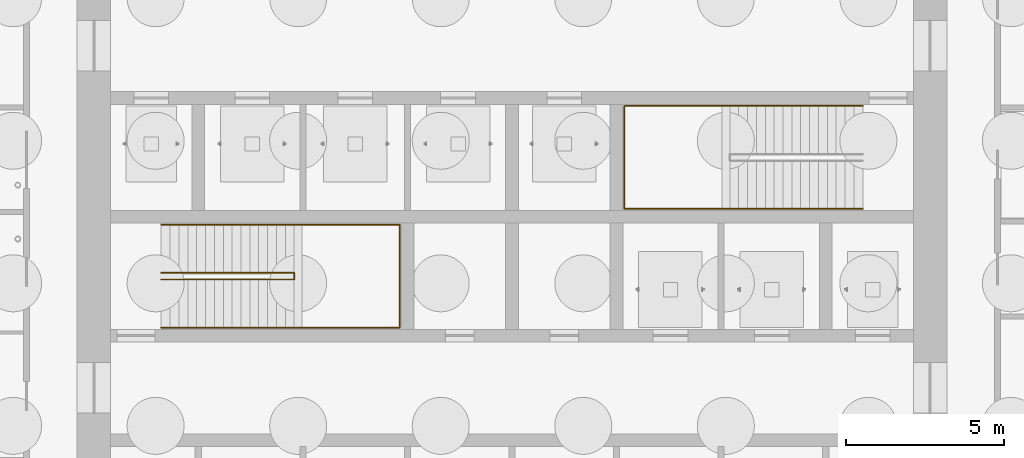
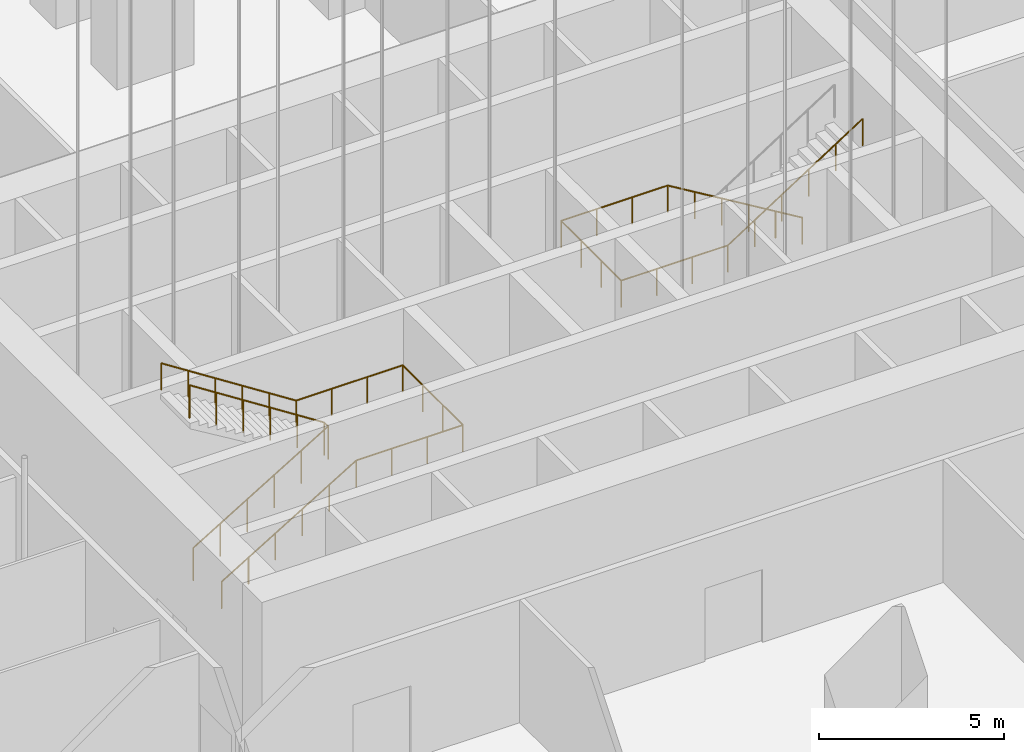
# One storey, part 6 of 17: 3 railings.
"""IFC4 building model written with IfcOpenShell, lengths in metres."""

from ifc_helpers import new_model, si_unit, direction, frame, origin, place, context, subcontext, project, spatial, polyline, outline, extrude, material, type_object, element, save


model = new_model("IFC4")

# Units and contexts
model_context = context("Model", 3, precision=1e-05, world=origin(), true_north=direction((0.0, 1.0)))
body_context = subcontext(model_context, "Body", "Model", "MODEL_VIEW")
ifc_project = project(units=[si_unit("LENGTHUNIT", "METRE"), si_unit("AREAUNIT", "SQUARE_METRE"), si_unit("VOLUMEUNIT", "CUBIC_METRE"), si_unit("PLANEANGLEUNIT", "RADIAN"), si_unit("MASSUNIT", "GRAM", prefix="KILO")], contexts=[model_context])

# Site, building, storey
site_placement = place(None, origin())
site = spatial("IfcSite", under=ifc_project, at=site_placement, CompositionType="ELEMENT")
building_placement = place(site_placement, origin())
building = spatial("IfcBuilding", under=site, at=building_placement, Name="Cobogo Forest Laboratory Tower", CompositionType="ELEMENT")
storey_placement = place(building_placement, frame((0.0, 0.0, -5.39990234375)))
storey = spatial("IfcBuildingStorey", under=building, at=storey_placement, Name="L-01", CompositionType="ELEMENT", Elevation=-5.39990234375)

# Railings
ifc_material_1 = material(Name="Steel balustrade", Category="steel")
railing_type_1 = type_object("IfcRailingType", Name="GR stair guard 1100", PredefinedType="GUARDRAIL", material=ifc_material_1)
railing_1_placement = place(storey_placement, frame((15.324951171875, 20.969970703125, 0.168701171875)))
element("IfcRailing", 1, at=railing_1_placement, inside=storey, type_object=railing_type_1, Name="Stair guard ST1 L-01", PredefinedType="GUARDRAIL", context=body_context, shape_type="SweptSolid", body=[
    extrude(outline(polyline([(0.022216796875, 0.00927734375), (0.00927734375, 0.022216796875), (-0.00927734375, 0.022216796875), (-0.022216796875, 0.00927734375), (-0.022216796875, -0.00927734375), (-0.00927734375, -0.022216796875), (0.00927734375, -0.022216796875), (0.022216796875, -0.00927734375), (0.022216796875, 0.00927734375)])), frame((0.0, 0.0, 1.077880859375), z_axis=(0.856476492594, 0.0, 0.516186030065), x_axis=(0.0, 1.0, 0.0)), (0.0, 0.0, 1.0), 4.90380859375),
    extrude(outline(polyline([(0.022216796875, 0.00927734375), (0.00927734375, 0.022216796875), (-0.00927734375, 0.022216796875), (-0.022216796875, 0.00927734375), (-0.022216796875, -0.00927734375), (-0.00927734375, -0.022216796875), (0.00927734375, -0.022216796875), (0.022216796875, -0.00927734375), (0.022216796875, 0.00927734375)])), frame((4.199951171875, 0.0, 3.609130859375), z_axis=(0.0, 1.0, 0.0), x_axis=(-1.0, 0.0, 0.0)), (0.0, 0.0, 1.0), 0.2099609375),
    extrude(outline(polyline([(0.022216796875, 0.00927734375), (0.00927734375, 0.022216796875), (-0.00927734375, 0.022216796875), (-0.022216796875, 0.00927734375), (-0.022216796875, -0.00927734375), (-0.00927734375, -0.022216796875), (0.00927734375, -0.022216796875), (0.022216796875, -0.00927734375), (0.022216796875, 0.00927734375)])), frame((4.199951171875, 0.2099609375, 3.609130859375), z_axis=(-0.841180064094, 0.0, 0.540755119968), x_axis=(0.0, -1.0, 0.0)), (0.0, 0.0, 1.0), 4.992919921875),
    extrude(outline(polyline([(0.019287109375, 0.008056640625), (0.008056640625, 0.019287109375), (-0.008056640625, 0.019287109375), (-0.019287109375, 0.008056640625), (-0.019287109375, -0.008056640625), (-0.008056640625, -0.019287109375), (0.008056640625, -0.019287109375), (0.019287109375, -0.008056640625), (0.019287109375, 0.008056640625)])), origin(), (0.0, 0.0, 1.0), 1.077880859375),
    extrude(outline(polyline([(0.019287109375, 0.008056640625), (0.008056640625, 0.019287109375), (-0.008056640625, 0.019287109375), (-0.019287109375, 0.008056640625), (-0.019287109375, -0.008056640625), (-0.008056640625, -0.019287109375), (0.008056640625, -0.019287109375), (0.019287109375, -0.008056640625), (0.019287109375, 0.008056640625)])), frame((0.840087890625, 0.0, 0.50634765625)), (0.0, 0.0, 1.0), 1.077880859375),
    extrude(outline(polyline([(0.019287109375, 0.008056640625), (0.008056640625, 0.019287109375), (-0.008056640625, 0.019287109375), (-0.019287109375, 0.008056640625), (-0.019287109375, -0.008056640625), (-0.008056640625, -0.019287109375), (0.008056640625, -0.019287109375), (0.019287109375, -0.008056640625), (0.019287109375, 0.008056640625)])), frame((1.679931640625, 0.0, 1.012451171875)), (0.0, 0.0, 1.0), 1.077880859375),
    extrude(outline(polyline([(0.019287109375, 0.008056640625), (0.008056640625, 0.019287109375), (-0.008056640625, 0.019287109375), (-0.019287109375, 0.008056640625), (-0.019287109375, -0.008056640625), (-0.008056640625, -0.019287109375), (0.008056640625, -0.019287109375), (0.019287109375, -0.008056640625), (0.019287109375, 0.008056640625)])), frame((2.52001953125, 0.0, 1.518798828125)), (0.0, 0.0, 1.0), 1.077880859375),
    extrude(outline(polyline([(0.019287109375, 0.008056640625), (0.008056640625, 0.019287109375), (-0.008056640625, 0.019287109375), (-0.019287109375, 0.008056640625), (-0.019287109375, -0.008056640625), (-0.008056640625, -0.019287109375), (0.008056640625, -0.019287109375), (0.019287109375, -0.008056640625), (0.019287109375, 0.008056640625)])), frame((3.35986328125, 0.0, 2.02490234375)), (0.0, 0.0, 1.0), 1.077880859375),
    extrude(outline(polyline([(0.019287109375, 0.008056640625), (0.008056640625, 0.019287109375), (-0.008056640625, 0.019287109375), (-0.019287109375, 0.008056640625), (-0.019287109375, -0.008056640625), (-0.008056640625, -0.019287109375), (0.008056640625, -0.019287109375), (0.019287109375, -0.008056640625), (0.019287109375, 0.008056640625)])), frame((4.199951171875, 0.0, 2.53125)), (0.0, 0.0, 1.0), 1.077880859375),
    extrude(outline(polyline([(0.019287109375, 0.008056640625), (0.008056640625, 0.019287109375), (-0.008056640625, 0.019287109375), (-0.019287109375, 0.008056640625), (-0.019287109375, -0.008056640625), (-0.008056640625, -0.019287109375), (0.008056640625, -0.019287109375), (0.019287109375, -0.008056640625), (0.019287109375, 0.008056640625)])), frame((4.199951171875, 0.2099609375, 2.53125)), (0.0, 0.0, 1.0), 1.077880859375),
    extrude(outline(polyline([(0.019287109375, 0.008056640625), (0.008056640625, 0.019287109375), (-0.008056640625, 0.019287109375), (-0.019287109375, 0.008056640625), (-0.019287109375, -0.008056640625), (-0.008056640625, -0.019287109375), (0.008056640625, -0.019287109375), (0.019287109375, -0.008056640625), (0.019287109375, 0.008056640625)])), frame((3.35986328125, 0.2099609375, 3.0712890625)), (0.0, 0.0, 1.0), 1.077880859375),
    extrude(outline(polyline([(0.019287109375, 0.008056640625), (0.008056640625, 0.019287109375), (-0.008056640625, 0.019287109375), (-0.019287109375, 0.008056640625), (-0.019287109375, -0.008056640625), (-0.008056640625, -0.019287109375), (0.008056640625, -0.019287109375), (0.019287109375, -0.008056640625), (0.019287109375, 0.008056640625)])), frame((2.52001953125, 0.2099609375, 3.611328125)), (0.0, 0.0, 1.0), 1.077880859375),
    extrude(outline(polyline([(0.019287109375, 0.008056640625), (0.008056640625, 0.019287109375), (-0.008056640625, 0.019287109375), (-0.019287109375, 0.008056640625), (-0.019287109375, -0.008056640625), (-0.008056640625, -0.019287109375), (0.008056640625, -0.019287109375), (0.019287109375, -0.008056640625), (0.019287109375, 0.008056640625)])), frame((1.679931640625, 0.2099609375, 4.151123046875)), (0.0, 0.0, 1.0), 1.077880859375),
    extrude(outline(polyline([(0.019287109375, 0.008056640625), (0.008056640625, 0.019287109375), (-0.008056640625, 0.019287109375), (-0.019287109375, 0.008056640625), (-0.019287109375, -0.008056640625), (-0.008056640625, -0.019287109375), (0.008056640625, -0.019287109375), (0.019287109375, -0.008056640625), (0.019287109375, 0.008056640625)])), frame((0.840087890625, 0.2099609375, 4.691162109375)), (0.0, 0.0, 1.0), 1.077880859375),
    extrude(outline(polyline([(0.019287109375, 0.008056640625), (0.008056640625, 0.019287109375), (-0.008056640625, 0.019287109375), (-0.019287109375, 0.008056640625), (-0.019287109375, -0.008056640625), (-0.008056640625, -0.019287109375), (0.008056640625, -0.019287109375), (0.019287109375, -0.008056640625), (0.019287109375, 0.008056640625)])), frame((0.0, 0.2099609375, 5.231201171875)), (0.0, 0.0, 1.0), 1.077880859375),
])
ifc_material_2 = material(Name="Stainless steel handrail", Category="steel")
railing_type_2 = type_object("IfcRailingType", Name="HR handrail 900", PredefinedType="HANDRAIL", material=ifc_material_2)
railing_2_placement = place(storey_placement, frame((15.324951171875, 19.449951171875, 0.168701171875)))
element("IfcRailing", 2, at=railing_2_placement, inside=storey, type_object=railing_type_2, Name="Stair handrail ST1 L-01", PredefinedType="HANDRAIL", context=body_context, shape_type="SweptSolid", body=[
    extrude(outline(polyline([(0.022216796875, 0.00927734375), (0.00927734375, 0.022216796875), (-0.00927734375, 0.022216796875), (-0.022216796875, 0.00927734375), (-0.022216796875, -0.00927734375), (-0.00927734375, -0.022216796875), (0.00927734375, -0.022216796875), (0.022216796875, -0.00927734375), (0.022216796875, 0.00927734375)])), frame((0.0, 0.0, 0.877685546875), z_axis=(0.856476492594, 0.0, 0.516186030065), x_axis=(0.0, 1.0, 0.0)), (0.0, 0.0, 1.0), 4.90380859375),
    extrude(outline(polyline([(0.022216796875, 0.00927734375), (0.00927734375, 0.022216796875), (-0.00927734375, 0.022216796875), (-0.022216796875, 0.00927734375), (-0.022216796875, -0.00927734375), (-0.00927734375, -0.022216796875), (0.00927734375, -0.022216796875), (0.022216796875, -0.00927734375), (0.022216796875, 0.00927734375)])), frame((4.199951171875, 0.0, 3.408935546875), z_axis=(1.0, 0.0, 0.0), x_axis=(0.0, 1.0, 0.0)), (0.0, 0.0, 1.0), 3.3251953125),
    extrude(outline(polyline([(0.022216796875, 0.00927734375), (0.00927734375, 0.022216796875), (-0.00927734375, 0.022216796875), (-0.022216796875, 0.00927734375), (-0.022216796875, -0.00927734375), (-0.00927734375, -0.022216796875), (0.00927734375, -0.022216796875), (0.022216796875, -0.00927734375), (0.022216796875, 0.00927734375)])), frame((7.525146484375, 0.0, 3.408935546875), z_axis=(0.0, 1.0, 0.0), x_axis=(-1.0, 0.0, 0.0)), (0.0, 0.0, 1.0), 3.25),
    extrude(outline(polyline([(0.022216796875, 0.00927734375), (0.00927734375, 0.022216796875), (-0.00927734375, 0.022216796875), (-0.022216796875, 0.00927734375), (-0.022216796875, -0.00927734375), (-0.00927734375, -0.022216796875), (0.00927734375, -0.022216796875), (0.022216796875, -0.00927734375), (0.022216796875, 0.00927734375)])), frame((7.525146484375, 3.25, 3.408935546875), z_axis=(-1.0, 0.0, 0.0), x_axis=(0.0, -1.0, 0.0)), (0.0, 0.0, 1.0), 3.3251953125),
    extrude(outline(polyline([(0.022216796875, 0.00927734375), (0.00927734375, 0.022216796875), (-0.00927734375, 0.022216796875), (-0.022216796875, 0.00927734375), (-0.022216796875, -0.00927734375), (-0.00927734375, -0.022216796875), (0.00927734375, -0.022216796875), (0.022216796875, -0.00927734375), (0.022216796875, 0.00927734375)])), frame((4.199951171875, 3.25, 3.408935546875), z_axis=(-0.841180064094, 0.0, 0.540755119968), x_axis=(0.0, -1.0, 0.0)), (0.0, 0.0, 1.0), 4.992919921875),
    extrude(outline(polyline([(0.019287109375, 0.008056640625), (0.008056640625, 0.019287109375), (-0.008056640625, 0.019287109375), (-0.019287109375, 0.008056640625), (-0.019287109375, -0.008056640625), (-0.008056640625, -0.019287109375), (0.008056640625, -0.019287109375), (0.019287109375, -0.008056640625), (0.019287109375, 0.008056640625)])), origin(), (0.0, 0.0, 1.0), 0.877685546875),
    extrude(outline(polyline([(0.019287109375, 0.008056640625), (0.008056640625, 0.019287109375), (-0.008056640625, 0.019287109375), (-0.019287109375, 0.008056640625), (-0.019287109375, -0.008056640625), (-0.008056640625, -0.019287109375), (0.008056640625, -0.019287109375), (0.019287109375, -0.008056640625), (0.019287109375, 0.008056640625)])), frame((0.840087890625, 0.0, 0.50634765625)), (0.0, 0.0, 1.0), 0.877685546875),
    extrude(outline(polyline([(0.019287109375, 0.008056640625), (0.008056640625, 0.019287109375), (-0.008056640625, 0.019287109375), (-0.019287109375, 0.008056640625), (-0.019287109375, -0.008056640625), (-0.008056640625, -0.019287109375), (0.008056640625, -0.019287109375), (0.019287109375, -0.008056640625), (0.019287109375, 0.008056640625)])), frame((1.679931640625, 0.0, 1.012451171875)), (0.0, 0.0, 1.0), 0.877685546875),
    extrude(outline(polyline([(0.019287109375, 0.008056640625), (0.008056640625, 0.019287109375), (-0.008056640625, 0.019287109375), (-0.019287109375, 0.008056640625), (-0.019287109375, -0.008056640625), (-0.008056640625, -0.019287109375), (0.008056640625, -0.019287109375), (0.019287109375, -0.008056640625), (0.019287109375, 0.008056640625)])), frame((2.52001953125, 0.0, 1.518798828125)), (0.0, 0.0, 1.0), 0.877685546875),
    extrude(outline(polyline([(0.019287109375, 0.008056640625), (0.008056640625, 0.019287109375), (-0.008056640625, 0.019287109375), (-0.019287109375, 0.008056640625), (-0.019287109375, -0.008056640625), (-0.008056640625, -0.019287109375), (0.008056640625, -0.019287109375), (0.019287109375, -0.008056640625), (0.019287109375, 0.008056640625)])), frame((3.35986328125, 0.0, 2.02490234375)), (0.0, 0.0, 1.0), 0.877685546875),
    extrude(outline(polyline([(0.019287109375, 0.008056640625), (0.008056640625, 0.019287109375), (-0.008056640625, 0.019287109375), (-0.019287109375, 0.008056640625), (-0.019287109375, -0.008056640625), (-0.008056640625, -0.019287109375), (0.008056640625, -0.019287109375), (0.019287109375, -0.008056640625), (0.019287109375, 0.008056640625)])), frame((4.199951171875, 0.0, 2.53125)), (0.0, 0.0, 1.0), 0.877685546875),
    extrude(outline(polyline([(0.019287109375, 0.008056640625), (0.008056640625, 0.019287109375), (-0.008056640625, 0.019287109375), (-0.019287109375, 0.008056640625), (-0.019287109375, -0.008056640625), (-0.008056640625, -0.019287109375), (0.008056640625, -0.019287109375), (0.019287109375, -0.008056640625), (0.019287109375, 0.008056640625)])), frame((5.308349609375, 0.0, 2.53125)), (0.0, 0.0, 1.0), 0.877685546875),
    extrude(outline(polyline([(0.019287109375, 0.008056640625), (0.008056640625, 0.019287109375), (-0.008056640625, 0.019287109375), (-0.019287109375, 0.008056640625), (-0.019287109375, -0.008056640625), (-0.008056640625, -0.019287109375), (0.008056640625, -0.019287109375), (0.019287109375, -0.008056640625), (0.019287109375, 0.008056640625)])), frame((6.416748046875, 0.0, 2.53125)), (0.0, 0.0, 1.0), 0.877685546875),
    extrude(outline(polyline([(0.019287109375, 0.008056640625), (0.008056640625, 0.019287109375), (-0.008056640625, 0.019287109375), (-0.019287109375, 0.008056640625), (-0.019287109375, -0.008056640625), (-0.008056640625, -0.019287109375), (0.008056640625, -0.019287109375), (0.019287109375, -0.008056640625), (0.019287109375, 0.008056640625)])), frame((7.525146484375, 0.0, 2.53125)), (0.0, 0.0, 1.0), 0.877685546875),
    extrude(outline(polyline([(0.019287109375, 0.008056640625), (0.008056640625, 0.019287109375), (-0.008056640625, 0.019287109375), (-0.019287109375, 0.008056640625), (-0.019287109375, -0.008056640625), (-0.008056640625, -0.019287109375), (0.008056640625, -0.019287109375), (0.019287109375, -0.008056640625), (0.019287109375, 0.008056640625)])), frame((7.525146484375, 1.083251953125, 2.53125)), (0.0, 0.0, 1.0), 0.877685546875),
    extrude(outline(polyline([(0.019287109375, 0.008056640625), (0.008056640625, 0.019287109375), (-0.008056640625, 0.019287109375), (-0.019287109375, 0.008056640625), (-0.019287109375, -0.008056640625), (-0.008056640625, -0.019287109375), (0.008056640625, -0.019287109375), (0.019287109375, -0.008056640625), (0.019287109375, 0.008056640625)])), frame((7.525146484375, 2.166748046875, 2.53125)), (0.0, 0.0, 1.0), 0.877685546875),
    extrude(outline(polyline([(0.019287109375, 0.008056640625), (0.008056640625, 0.019287109375), (-0.008056640625, 0.019287109375), (-0.019287109375, 0.008056640625), (-0.019287109375, -0.008056640625), (-0.008056640625, -0.019287109375), (0.008056640625, -0.019287109375), (0.019287109375, -0.008056640625), (0.019287109375, 0.008056640625)])), frame((7.525146484375, 3.25, 2.53125)), (0.0, 0.0, 1.0), 0.877685546875),
    extrude(outline(polyline([(0.019287109375, 0.008056640625), (0.008056640625, 0.019287109375), (-0.008056640625, 0.019287109375), (-0.019287109375, 0.008056640625), (-0.019287109375, -0.008056640625), (-0.008056640625, -0.019287109375), (0.008056640625, -0.019287109375), (0.019287109375, -0.008056640625), (0.019287109375, 0.008056640625)])), frame((6.416748046875, 3.25, 2.53125)), (0.0, 0.0, 1.0), 0.877685546875),
    extrude(outline(polyline([(0.019287109375, 0.008056640625), (0.008056640625, 0.019287109375), (-0.008056640625, 0.019287109375), (-0.019287109375, 0.008056640625), (-0.019287109375, -0.008056640625), (-0.008056640625, -0.019287109375), (0.008056640625, -0.019287109375), (0.019287109375, -0.008056640625), (0.019287109375, 0.008056640625)])), frame((5.308349609375, 3.25, 2.53125)), (0.0, 0.0, 1.0), 0.877685546875),
    extrude(outline(polyline([(0.019287109375, 0.008056640625), (0.008056640625, 0.019287109375), (-0.008056640625, 0.019287109375), (-0.019287109375, 0.008056640625), (-0.019287109375, -0.008056640625), (-0.008056640625, -0.019287109375), (0.008056640625, -0.019287109375), (0.019287109375, -0.008056640625), (0.019287109375, 0.008056640625)])), frame((4.199951171875, 3.25, 2.53125)), (0.0, 0.0, 1.0), 0.877685546875),
    extrude(outline(polyline([(0.019287109375, 0.008056640625), (0.008056640625, 0.019287109375), (-0.008056640625, 0.019287109375), (-0.019287109375, 0.008056640625), (-0.019287109375, -0.008056640625), (-0.008056640625, -0.019287109375), (0.008056640625, -0.019287109375), (0.019287109375, -0.008056640625), (0.019287109375, 0.008056640625)])), frame((3.35986328125, 3.25, 3.0712890625)), (0.0, 0.0, 1.0), 0.877685546875),
    extrude(outline(polyline([(0.019287109375, 0.008056640625), (0.008056640625, 0.019287109375), (-0.008056640625, 0.019287109375), (-0.019287109375, 0.008056640625), (-0.019287109375, -0.008056640625), (-0.008056640625, -0.019287109375), (0.008056640625, -0.019287109375), (0.019287109375, -0.008056640625), (0.019287109375, 0.008056640625)])), frame((2.52001953125, 3.25, 3.611328125)), (0.0, 0.0, 1.0), 0.877685546875),
    extrude(outline(polyline([(0.019287109375, 0.008056640625), (0.008056640625, 0.019287109375), (-0.008056640625, 0.019287109375), (-0.019287109375, 0.008056640625), (-0.019287109375, -0.008056640625), (-0.008056640625, -0.019287109375), (0.008056640625, -0.019287109375), (0.019287109375, -0.008056640625), (0.019287109375, 0.008056640625)])), frame((1.679931640625, 3.25, 4.151123046875)), (0.0, 0.0, 1.0), 0.877685546875),
    extrude(outline(polyline([(0.019287109375, 0.008056640625), (0.008056640625, 0.019287109375), (-0.008056640625, 0.019287109375), (-0.019287109375, 0.008056640625), (-0.019287109375, -0.008056640625), (-0.008056640625, -0.019287109375), (0.008056640625, -0.019287109375), (0.019287109375, -0.008056640625), (0.019287109375, 0.008056640625)])), frame((0.840087890625, 3.25, 4.691162109375)), (0.0, 0.0, 1.0), 0.877685546875),
    extrude(outline(polyline([(0.019287109375, 0.008056640625), (0.008056640625, 0.019287109375), (-0.008056640625, 0.019287109375), (-0.019287109375, 0.008056640625), (-0.019287109375, -0.008056640625), (-0.008056640625, -0.019287109375), (0.008056640625, -0.019287109375), (0.019287109375, -0.008056640625), (0.019287109375, 0.008056640625)])), frame((0.0, 3.25, 5.231201171875)), (0.0, 0.0, 1.0), 0.877685546875),
])
railing_3_placement = place(storey_placement, frame((37.47509765625, 26.449951171875, 0.168701171875)))
element("IfcRailing", 3, at=railing_3_placement, inside=storey, type_object=railing_type_2, Name="Stair handrail ST2 L-01", PredefinedType="HANDRAIL", context=body_context, shape_type="SweptSolid", body=[
    extrude(outline(polyline([(0.022216796875, 0.00927734375), (0.00927734375, 0.022216796875), (-0.00927734375, 0.022216796875), (-0.022216796875, 0.00927734375), (-0.022216796875, -0.00927734375), (-0.00927734375, -0.022216796875), (0.00927734375, -0.022216796875), (0.022216796875, -0.00927734375), (0.022216796875, 0.00927734375)])), frame((0.0, 0.0, 0.877685546875), z_axis=(-0.856489757249, 0.0, 0.516164020179), x_axis=(0.0, -1.0, 0.0)), (0.0, 0.0, 1.0), 4.904052734375),
    extrude(outline(polyline([(0.022216796875, 0.00927734375), (0.00927734375, 0.022216796875), (-0.00927734375, 0.022216796875), (-0.022216796875, 0.00927734375), (-0.022216796875, -0.00927734375), (-0.00927734375, -0.022216796875), (0.00927734375, -0.022216796875), (0.022216796875, -0.00927734375), (0.022216796875, 0.00927734375)])), frame((-4.2001953125, 0.0, 3.408935546875), z_axis=(-1.0, 0.0, 0.0), x_axis=(0.0, -1.0, 0.0)), (0.0, 0.0, 1.0), 3.324951171875),
    extrude(outline(polyline([(0.022216796875, 0.00927734375), (0.00927734375, 0.022216796875), (-0.00927734375, 0.022216796875), (-0.022216796875, 0.00927734375), (-0.022216796875, -0.00927734375), (-0.00927734375, -0.022216796875), (0.00927734375, -0.022216796875), (0.022216796875, -0.00927734375), (0.022216796875, 0.00927734375)])), frame((-7.525146484375, 0.0, 3.408935546875), z_axis=(0.0, -1.0, 0.0), x_axis=(1.0, 0.0, 0.0)), (0.0, 0.0, 1.0), 3.25),
    extrude(outline(polyline([(0.022216796875, 0.00927734375), (0.00927734375, 0.022216796875), (-0.00927734375, 0.022216796875), (-0.022216796875, 0.00927734375), (-0.022216796875, -0.00927734375), (-0.00927734375, -0.022216796875), (0.00927734375, -0.022216796875), (0.022216796875, -0.00927734375), (0.022216796875, 0.00927734375)])), frame((-7.525146484375, -3.25, 3.408935546875), z_axis=(1.0, 0.0, 0.0), x_axis=(0.0, 1.0, 0.0)), (0.0, 0.0, 1.0), 3.324951171875),
    extrude(outline(polyline([(0.022216796875, 0.00927734375), (0.00927734375, 0.022216796875), (-0.00927734375, 0.022216796875), (-0.022216796875, 0.00927734375), (-0.022216796875, -0.00927734375), (-0.00927734375, -0.022216796875), (0.00927734375, -0.022216796875), (0.022216796875, -0.00927734375), (0.022216796875, 0.00927734375)])), frame((-4.2001953125, -3.25, 3.408935546875), z_axis=(0.841194361566, 0.0, 0.540732878665), x_axis=(0.0, 1.0, 0.0)), (0.0, 0.0, 1.0), 4.9931640625),
    extrude(outline(polyline([(0.019287109375, 0.008056640625), (0.008056640625, 0.019287109375), (-0.008056640625, 0.019287109375), (-0.019287109375, 0.008056640625), (-0.019287109375, -0.008056640625), (-0.008056640625, -0.019287109375), (0.008056640625, -0.019287109375), (0.019287109375, -0.008056640625), (0.019287109375, 0.008056640625)])), origin(), (0.0, 0.0, 1.0), 0.877685546875),
    extrude(outline(polyline([(0.019287109375, 0.008056640625), (0.008056640625, 0.019287109375), (-0.008056640625, 0.019287109375), (-0.019287109375, 0.008056640625), (-0.019287109375, -0.008056640625), (-0.008056640625, -0.019287109375), (0.008056640625, -0.019287109375), (0.019287109375, -0.008056640625), (0.019287109375, 0.008056640625)])), frame((-0.840087890625, 0.0, 0.50634765625)), (0.0, 0.0, 1.0), 0.877685546875),
    extrude(outline(polyline([(0.019287109375, 0.008056640625), (0.008056640625, 0.019287109375), (-0.008056640625, 0.019287109375), (-0.019287109375, 0.008056640625), (-0.019287109375, -0.008056640625), (-0.008056640625, -0.019287109375), (0.008056640625, -0.019287109375), (0.019287109375, -0.008056640625), (0.019287109375, 0.008056640625)])), frame((-1.68017578125, 0.0, 1.012451171875)), (0.0, 0.0, 1.0), 0.877685546875),
    extrude(outline(polyline([(0.019287109375, 0.008056640625), (0.008056640625, 0.019287109375), (-0.008056640625, 0.019287109375), (-0.019287109375, 0.008056640625), (-0.019287109375, -0.008056640625), (-0.008056640625, -0.019287109375), (0.008056640625, -0.019287109375), (0.019287109375, -0.008056640625), (0.019287109375, 0.008056640625)])), frame((-2.52001953125, 0.0, 1.518798828125)), (0.0, 0.0, 1.0), 0.877685546875),
    extrude(outline(polyline([(0.019287109375, 0.008056640625), (0.008056640625, 0.019287109375), (-0.008056640625, 0.019287109375), (-0.019287109375, 0.008056640625), (-0.019287109375, -0.008056640625), (-0.008056640625, -0.019287109375), (0.008056640625, -0.019287109375), (0.019287109375, -0.008056640625), (0.019287109375, 0.008056640625)])), frame((-3.360107421875, 0.0, 2.02490234375)), (0.0, 0.0, 1.0), 0.877685546875),
    extrude(outline(polyline([(0.019287109375, 0.008056640625), (0.008056640625, 0.019287109375), (-0.008056640625, 0.019287109375), (-0.019287109375, 0.008056640625), (-0.019287109375, -0.008056640625), (-0.008056640625, -0.019287109375), (0.008056640625, -0.019287109375), (0.019287109375, -0.008056640625), (0.019287109375, 0.008056640625)])), frame((-4.2001953125, 0.0, 2.53125)), (0.0, 0.0, 1.0), 0.877685546875),
    extrude(outline(polyline([(0.019287109375, 0.008056640625), (0.008056640625, 0.019287109375), (-0.008056640625, 0.019287109375), (-0.019287109375, 0.008056640625), (-0.019287109375, -0.008056640625), (-0.008056640625, -0.019287109375), (0.008056640625, -0.019287109375), (0.019287109375, -0.008056640625), (0.019287109375, 0.008056640625)])), frame((-5.30859375, 0.0, 2.53125)), (0.0, 0.0, 1.0), 0.877685546875),
    extrude(outline(polyline([(0.019287109375, 0.008056640625), (0.008056640625, 0.019287109375), (-0.008056640625, 0.019287109375), (-0.019287109375, 0.008056640625), (-0.019287109375, -0.008056640625), (-0.008056640625, -0.019287109375), (0.008056640625, -0.019287109375), (0.019287109375, -0.008056640625), (0.019287109375, 0.008056640625)])), frame((-6.416748046875, 0.0, 2.53125)), (0.0, 0.0, 1.0), 0.877685546875),
    extrude(outline(polyline([(0.019287109375, 0.008056640625), (0.008056640625, 0.019287109375), (-0.008056640625, 0.019287109375), (-0.019287109375, 0.008056640625), (-0.019287109375, -0.008056640625), (-0.008056640625, -0.019287109375), (0.008056640625, -0.019287109375), (0.019287109375, -0.008056640625), (0.019287109375, 0.008056640625)])), frame((-7.525146484375, 0.0, 2.53125)), (0.0, 0.0, 1.0), 0.877685546875),
    extrude(outline(polyline([(0.019287109375, 0.008056640625), (0.008056640625, 0.019287109375), (-0.008056640625, 0.019287109375), (-0.019287109375, 0.008056640625), (-0.019287109375, -0.008056640625), (-0.008056640625, -0.019287109375), (0.008056640625, -0.019287109375), (0.019287109375, -0.008056640625), (0.019287109375, 0.008056640625)])), frame((-7.525146484375, -1.083251953125, 2.53125)), (0.0, 0.0, 1.0), 0.877685546875),
    extrude(outline(polyline([(0.019287109375, 0.008056640625), (0.008056640625, 0.019287109375), (-0.008056640625, 0.019287109375), (-0.019287109375, 0.008056640625), (-0.019287109375, -0.008056640625), (-0.008056640625, -0.019287109375), (0.008056640625, -0.019287109375), (0.019287109375, -0.008056640625), (0.019287109375, 0.008056640625)])), frame((-7.525146484375, -2.166748046875, 2.53125)), (0.0, 0.0, 1.0), 0.877685546875),
    extrude(outline(polyline([(0.019287109375, 0.008056640625), (0.008056640625, 0.019287109375), (-0.008056640625, 0.019287109375), (-0.019287109375, 0.008056640625), (-0.019287109375, -0.008056640625), (-0.008056640625, -0.019287109375), (0.008056640625, -0.019287109375), (0.019287109375, -0.008056640625), (0.019287109375, 0.008056640625)])), frame((-7.525146484375, -3.25, 2.53125)), (0.0, 0.0, 1.0), 0.877685546875),
    extrude(outline(polyline([(0.019287109375, 0.008056640625), (0.008056640625, 0.019287109375), (-0.008056640625, 0.019287109375), (-0.019287109375, 0.008056640625), (-0.019287109375, -0.008056640625), (-0.008056640625, -0.019287109375), (0.008056640625, -0.019287109375), (0.019287109375, -0.008056640625), (0.019287109375, 0.008056640625)])), frame((-6.416748046875, -3.25, 2.53125)), (0.0, 0.0, 1.0), 0.877685546875),
    extrude(outline(polyline([(0.019287109375, 0.008056640625), (0.008056640625, 0.019287109375), (-0.008056640625, 0.019287109375), (-0.019287109375, 0.008056640625), (-0.019287109375, -0.008056640625), (-0.008056640625, -0.019287109375), (0.008056640625, -0.019287109375), (0.019287109375, -0.008056640625), (0.019287109375, 0.008056640625)])), frame((-5.30859375, -3.25, 2.53125)), (0.0, 0.0, 1.0), 0.877685546875),
    extrude(outline(polyline([(0.019287109375, 0.008056640625), (0.008056640625, 0.019287109375), (-0.008056640625, 0.019287109375), (-0.019287109375, 0.008056640625), (-0.019287109375, -0.008056640625), (-0.008056640625, -0.019287109375), (0.008056640625, -0.019287109375), (0.019287109375, -0.008056640625), (0.019287109375, 0.008056640625)])), frame((-4.2001953125, -3.25, 2.53125)), (0.0, 0.0, 1.0), 0.877685546875),
    extrude(outline(polyline([(0.019287109375, 0.008056640625), (0.008056640625, 0.019287109375), (-0.008056640625, 0.019287109375), (-0.019287109375, 0.008056640625), (-0.019287109375, -0.008056640625), (-0.008056640625, -0.019287109375), (0.008056640625, -0.019287109375), (0.019287109375, -0.008056640625), (0.019287109375, 0.008056640625)])), frame((-3.360107421875, -3.25, 3.0712890625)), (0.0, 0.0, 1.0), 0.877685546875),
    extrude(outline(polyline([(0.019287109375, 0.008056640625), (0.008056640625, 0.019287109375), (-0.008056640625, 0.019287109375), (-0.019287109375, 0.008056640625), (-0.019287109375, -0.008056640625), (-0.008056640625, -0.019287109375), (0.008056640625, -0.019287109375), (0.019287109375, -0.008056640625), (0.019287109375, 0.008056640625)])), frame((-2.52001953125, -3.25, 3.611328125)), (0.0, 0.0, 1.0), 0.877685546875),
    extrude(outline(polyline([(0.019287109375, 0.008056640625), (0.008056640625, 0.019287109375), (-0.008056640625, 0.019287109375), (-0.019287109375, 0.008056640625), (-0.019287109375, -0.008056640625), (-0.008056640625, -0.019287109375), (0.008056640625, -0.019287109375), (0.019287109375, -0.008056640625), (0.019287109375, 0.008056640625)])), frame((-1.68017578125, -3.25, 4.151123046875)), (0.0, 0.0, 1.0), 0.877685546875),
    extrude(outline(polyline([(0.019287109375, 0.008056640625), (0.008056640625, 0.019287109375), (-0.008056640625, 0.019287109375), (-0.019287109375, 0.008056640625), (-0.019287109375, -0.008056640625), (-0.008056640625, -0.019287109375), (0.008056640625, -0.019287109375), (0.019287109375, -0.008056640625), (0.019287109375, 0.008056640625)])), frame((-0.840087890625, -3.25, 4.691162109375)), (0.0, 0.0, 1.0), 0.877685546875),
    extrude(outline(polyline([(0.019287109375, 0.008056640625), (0.008056640625, 0.019287109375), (-0.008056640625, 0.019287109375), (-0.019287109375, 0.008056640625), (-0.019287109375, -0.008056640625), (-0.008056640625, -0.019287109375), (0.008056640625, -0.019287109375), (0.019287109375, -0.008056640625), (0.019287109375, 0.008056640625)])), frame((0.0, -3.25, 5.231201171875)), (0.0, 0.0, 1.0), 0.877685546875),
])

save(model, "model.ifc")
